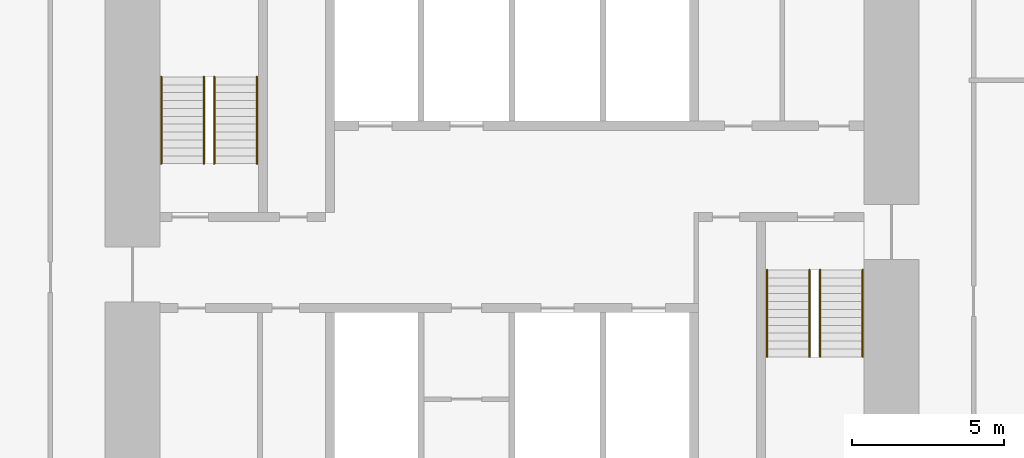
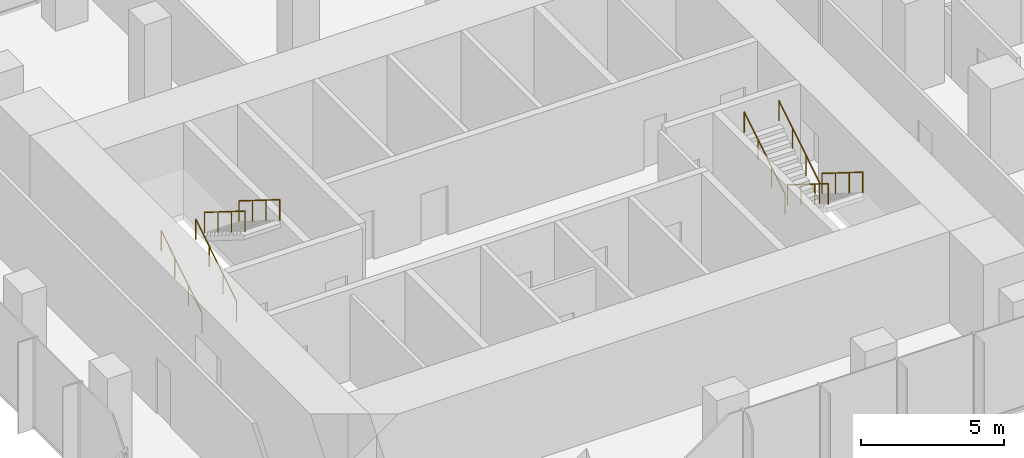
# One storey, part 10 of 10: 8 railings.
"""IFC4 building model written with IfcOpenShell, lengths in metres."""

from ifc_helpers import new_model, si_unit, direction, frame, origin, origin_2d, place, context, subcontext, project, spatial, circle, extrude, material, type_object, element, save


model = new_model("IFC4")

# Units and contexts
model_context = context("Model", 3, precision=1e-05, world=origin(), true_north=direction((0.0, 1.0)))
body_context = subcontext(model_context, "Body", "Model", "MODEL_VIEW")
ifc_project = project(units=[si_unit("LENGTHUNIT", "METRE"), si_unit("AREAUNIT", "SQUARE_METRE"), si_unit("VOLUMEUNIT", "CUBIC_METRE"), si_unit("PLANEANGLEUNIT", "RADIAN"), si_unit("MASSUNIT", "GRAM", prefix="KILO")], contexts=[model_context])

# Site, building, storey
site_placement = place(None, origin())
site = spatial("IfcSite", under=ifc_project, at=site_placement, CompositionType="ELEMENT")
building_placement = place(site_placement, origin())
building = spatial("IfcBuilding", under=site, at=building_placement, Name="Highveld Stack Headquarters", CompositionType="ELEMENT")
storey_placement = place(building_placement, frame((0.0, 0.0, 248.89990234375)))
storey = spatial("IfcBuildingStorey", under=building, at=storey_placement, Name="L61", CompositionType="ELEMENT", Elevation=248.89990234375)

# Railings
ifc_material = material(Name="Stainless steel handrail", Category="steel")
railing_type = type_object("IfcRailingType", Name="STAIR HANDRAIL HR1 900", PredefinedType="HANDRAIL", material=ifc_material)
for number, where, name in (
    (1, (-5.550048828125, 4.75, 0.16259765625), "Handrail S1 L61 flight 1"),
    (2, (-4.14990234375, 4.75, 0.16259765625), "Handrail S1 L61 flight 1"),
):
    element("IfcRailing", number, at=place(storey_placement, frame(where)), inside=storey, type_object=railing_type, Name=name, PredefinedType="HANDRAIL", context=body_context, shape_type="SweptSolid", body=[
        extrude(circle(Radius=0.02392578125, at=origin_2d()), frame((0.0, 0.0, 0.8759765625), z_axis=(0.0, 0.847994237388, 0.530005446535), x_axis=(-1.0, 0.0, 0.0)), (0.0, 0.0, 1.0), 3.372802734375),
        extrude(circle(Radius=0.02099609375, at=origin_2d()), origin(), (0.0, 0.0, 1.0), 0.851806640625),
        extrude(circle(Radius=0.02099609375, at=origin_2d()), frame((0.0, 0.953369140625, 0.595947265625)), (0.0, 0.0, 1.0), 0.851806640625),
        extrude(circle(Radius=0.02099609375, at=origin_2d()), frame((0.0, 1.90673828125, 1.191650390625)), (0.0, 0.0, 1.0), 0.851806640625),
        extrude(circle(Radius=0.02099609375, at=origin_2d()), frame((0.0, 2.860107421875, 1.78759765625)), (0.0, 0.0, 1.0), 0.851806640625),
    ])
for number, where, name in (
    (3, (-3.800048828125, 7.610107421875, 2.112548828125), "Handrail S1 L61 flight 2"),
    (4, (-2.39990234375, 7.610107421875, 2.112548828125), "Handrail S1 L61 flight 2"),
    (5, (16.14990234375, 1.25, 0.16259765625), "Handrail S2 L61 flight 1"),
    (6, (17.550048828125, 1.25, 0.16259765625), "Handrail S2 L61 flight 1"),
):
    element("IfcRailing", number, at=place(storey_placement, frame(where)), inside=storey, type_object=railing_type, Name=name, PredefinedType="HANDRAIL", context=body_context, shape_type="SweptSolid", body=[
        extrude(circle(Radius=0.02392578125, at=origin_2d()), frame((0.0, 0.0, 0.8759765625), z_axis=(0.0, -0.847994237388, 0.530005446535), x_axis=(1.0, 0.0, 0.0)), (0.0, 0.0, 1.0), 3.372802734375),
        extrude(circle(Radius=0.02099609375, at=origin_2d()), origin(), (0.0, 0.0, 1.0), 0.851806640625),
        extrude(circle(Radius=0.02099609375, at=origin_2d()), frame((0.0, -0.953369140625, 0.595947265625)), (0.0, 0.0, 1.0), 0.851806640625),
        extrude(circle(Radius=0.02099609375, at=origin_2d()), frame((0.0, -1.90673828125, 1.191650390625)), (0.0, 0.0, 1.0), 0.851806640625),
        extrude(circle(Radius=0.02099609375, at=origin_2d()), frame((0.0, -2.860107421875, 1.78759765625)), (0.0, 0.0, 1.0), 0.851806640625),
    ])
for number, where, name in (
    (7, (14.39990234375, -1.610107421875, 2.112548828125), "Handrail S2 L61 flight 2"),
    (8, (15.800048828125, -1.610107421875, 2.112548828125), "Handrail S2 L61 flight 2"),
):
    element("IfcRailing", number, at=place(storey_placement, frame(where)), inside=storey, type_object=railing_type, Name=name, PredefinedType="HANDRAIL", context=body_context, shape_type="SweptSolid", body=[
        extrude(circle(Radius=0.02392578125, at=origin_2d()), frame((0.0, 0.0, 0.8759765625), z_axis=(0.0, 0.847994237388, 0.530005446535), x_axis=(-1.0, 0.0, 0.0)), (0.0, 0.0, 1.0), 3.372802734375),
        extrude(circle(Radius=0.02099609375, at=origin_2d()), origin(), (0.0, 0.0, 1.0), 0.851806640625),
        extrude(circle(Radius=0.02099609375, at=origin_2d()), frame((0.0, 0.953369140625, 0.595947265625)), (0.0, 0.0, 1.0), 0.851806640625),
        extrude(circle(Radius=0.02099609375, at=origin_2d()), frame((0.0, 1.90673828125, 1.191650390625)), (0.0, 0.0, 1.0), 0.851806640625),
        extrude(circle(Radius=0.02099609375, at=origin_2d()), frame((0.0, 2.860107421875, 1.78759765625)), (0.0, 0.0, 1.0), 0.851806640625),
    ])

save(model, "model.ifc")
